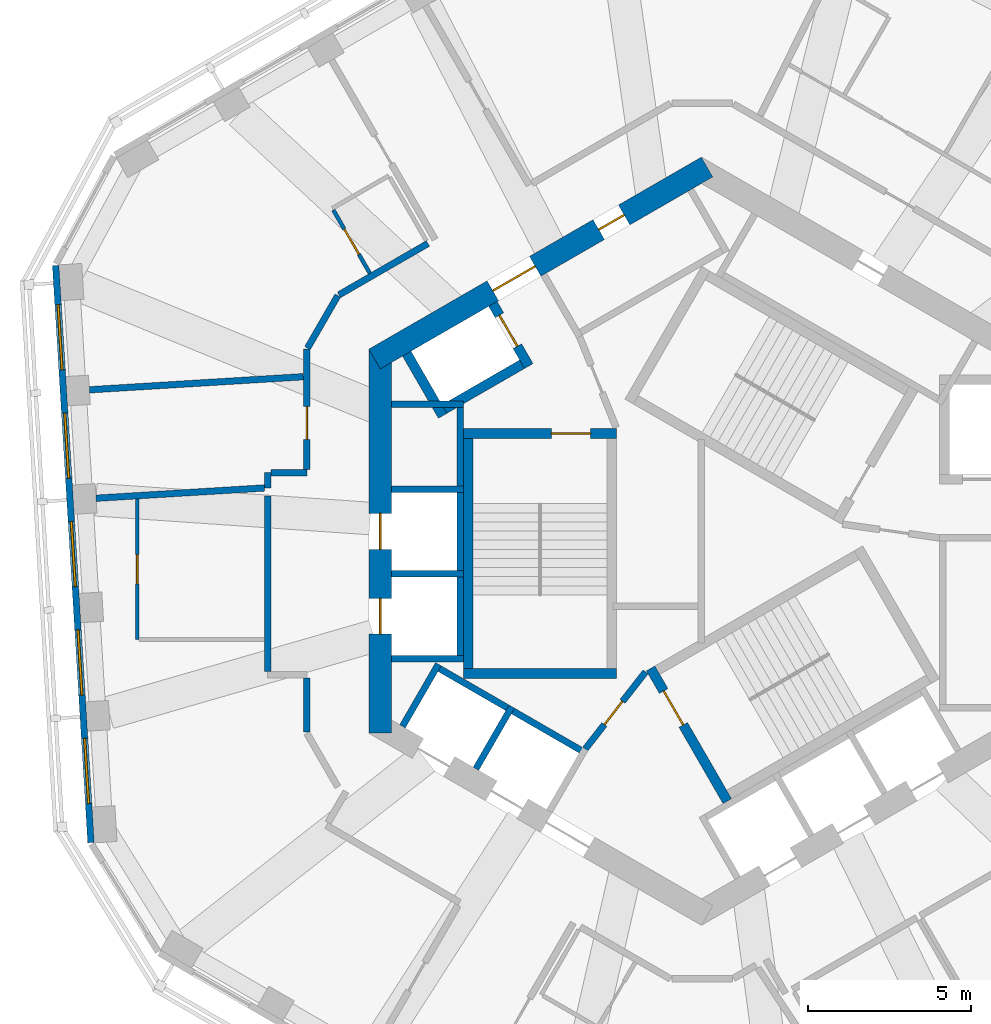
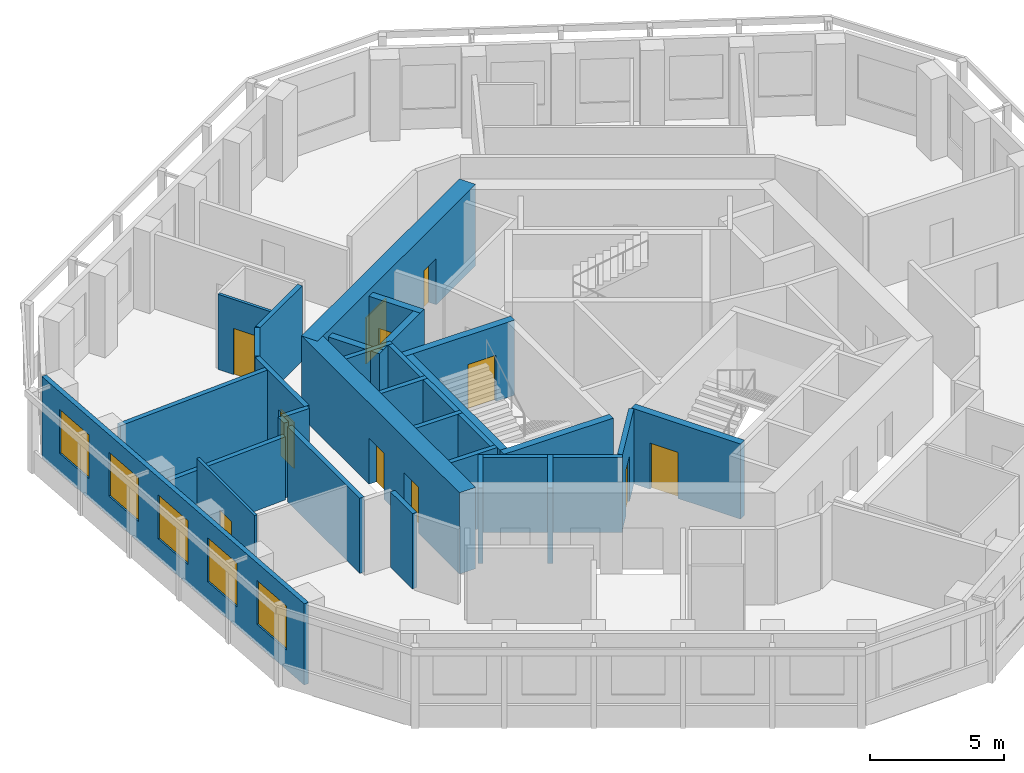
# One storey, part 5 of 10: 30 walls, 11 doors, 5 windows, 16 openings.
"""IFC4 building model written with IfcOpenShell, lengths in metres."""

from ifc_helpers import new_model, si_unit, direction, frame, frame_2d, origin, place, context, subcontext, project, spatial, rectangle, extrude, material, layer, layer_set, type_object, element, fill, save


model = new_model("IFC4")

# Units and contexts
model_context = context("Model", 3, precision=1e-05, world=origin(), true_north=direction((0.0, 1.0)))
body_context = subcontext(model_context, "Body", "Model", "MODEL_VIEW")
ifc_project = project(units=[si_unit("LENGTHUNIT", "METRE"), si_unit("AREAUNIT", "SQUARE_METRE"), si_unit("VOLUMEUNIT", "CUBIC_METRE"), si_unit("PLANEANGLEUNIT", "RADIAN"), si_unit("MASSUNIT", "GRAM", prefix="KILO")], contexts=[model_context])

# Site, building, storey
site_placement = place(None, origin())
site = spatial("IfcSite", under=ifc_project, at=site_placement, CompositionType="ELEMENT")
building_placement = place(site_placement, origin())
building = spatial("IfcBuilding", under=site, at=building_placement, Name="Vanh Sen Convention Tower", CompositionType="ELEMENT")
storey_placement = place(building_placement, frame((0.0, 0.0, 263.5)))
storey = spatial("IfcBuildingStorey", under=building, at=storey_placement, Name="L65", CompositionType="ELEMENT", Elevation=263.5)

# Wall, opening, door
ifc_material_1 = material(Name="Moisture-resistant gypsum board on steel studs", Category="steel")
ifc_layer_1 = layer(ifc_material_1, 0.1201171875)
ifc_layer_set_1 = layer_set([ifc_layer_1], Name="Moisture-resistant gypsum board on steel studs")
wall_type_1 = type_object("IfcWallType", Name="Bathroom partition 120", PredefinedType="PARTITIONING", material=ifc_layer_set_1)
wall_1_placement = place(storey_placement, frame((-17.301025390625, -3.0107421875, 0.0), z_axis=(0.0, 0.0, 1.0), x_axis=(0.0, 1.0, 0.0)))
wall_1 = element("IfcWall", 1, at=wall_1_placement, inside=storey, type_object=wall_type_1, Name="Bathroom partition 120", PredefinedType="PARTITIONING", context=body_context, shape_type="SweptSolid", body=[
    extrude(rectangle(XDim=4.300048828125, YDim=0.1201171875, at=frame_2d((2.14990234375, 0.0))), origin(), (0.0, 0.0, 1.0), 3.419921875),
])
opening_1_placement = place(wall_1_placement, frame((1.699951171875, 0.0, 0.0)))
opening_1 = element("IfcOpeningElement", 2, at=opening_1_placement, cuts=wall_1, Name="Opening D64111", PredefinedType="OPENING", context=body_context, shape_type="SweptSolid", body=[
    extrude(rectangle(XDim=0.89990234375, YDim=2.10009765625, at=frame_2d((0.449951171875, 1.050048828125))), frame((0.0, 0.070068359375, 0.0), z_axis=(0.0, -1.0, 0.0), x_axis=(1.0, 0.0, 0.0)), (0.0, 0.0, 1.0), 0.14013671875),
])
ifc_material_2 = material(Name="Laminate door in steel frame", Category="steel")
door_type_1 = type_object("IfcDoorType", Name="Room internal door 900", OperationType="SINGLE_SWING_LEFT", PredefinedType="DOOR", material=ifc_material_2)
door_1_placement = place(opening_1_placement, origin())
door_1 = element("IfcDoor", 3, at=door_1_placement, inside=storey, type_object=door_type_1, Name="Internal room door D64111", OperationType="SINGLE_SWING_LEFT", OverallHeight=2.10009765625, OverallWidth=0.89990234375, PredefinedType="DOOR", context=body_context, shape_type="SweptSolid", body=[
    extrude(rectangle(XDim=0.89990234375, YDim=2.10009765625, at=frame_2d((0.449951171875, 1.050048828125))), frame((0.0, 0.02490234375, 0.0), z_axis=(0.0, -1.0, 0.0), x_axis=(1.0, 0.0, 0.0)), (0.0, 0.0, 1.0), 0.050048828125),
])
fill(opening_1, door_1)

wall_2_placement = place(storey_placement, frame((-10.168701171875, 8.21630859375, 0.0), z_axis=(0.0, 0.0, 1.0), x_axis=(-0.500030632641, 0.866007717299, 0.0)))
wall_2 = element("IfcWall", 4, at=wall_2_placement, inside=storey, type_object=wall_type_1, Name="Bathroom partition 120", PredefinedType="PARTITIONING", context=body_context, shape_type="SweptSolid", body=[
    extrude(rectangle(XDim=2.239990234375, YDim=0.1201171875, at=frame_2d((1.1201171875, 0.0))), origin(), (0.0, 0.0, 1.0), 3.419921875),
])
opening_2_placement = place(wall_2_placement, frame((0.669921875, 0.0, 0.0)))
opening_2 = element("IfcOpeningElement", 5, at=opening_2_placement, cuts=wall_2, Name="Opening D64108", PredefinedType="OPENING", context=body_context, shape_type="SweptSolid", body=[
    extrude(rectangle(XDim=0.89990234375, YDim=2.10009765625, at=frame_2d((0.449951171875, 1.050048828125))), frame((0.0, 0.070068359375, 0.0), z_axis=(0.0, -1.0, 0.0), x_axis=(1.0, 0.0, 0.0)), (0.0, 0.0, 1.0), 0.14013671875),
])
door_2_placement = place(opening_2_placement, origin())
door_2 = element("IfcDoor", 6, at=door_2_placement, inside=storey, type_object=door_type_1, Name="Internal room door D64108", OperationType="SINGLE_SWING_LEFT", OverallHeight=2.10009765625, OverallWidth=0.89990234375, PredefinedType="DOOR", context=body_context, shape_type="SweptSolid", body=[
    extrude(rectangle(XDim=0.89990234375, YDim=2.10009765625, at=frame_2d((0.449951171875, 1.050048828125))), frame((0.0, 0.02490234375, 0.0), z_axis=(0.0, -1.0, 0.0), x_axis=(1.0, 0.0, 0.0)), (0.0, 0.0, 1.0), 0.050048828125),
])
fill(opening_2, door_2)

# Wall, openings, doors
ifc_material_3 = material(Name="Concrete C60/75", Category="concrete")
ifc_layer_2 = layer(ifc_material_3, 0.699951171875)
ifc_layer_set_2 = layer_set([ifc_layer_2], Name="Concrete C60/75")
wall_type_2 = type_object("IfcWallType", Name="Core outer wall 700 C60/75", PredefinedType="SHEAR", material=ifc_layer_set_2)
wall_3_placement = place(storey_placement, frame((0.175048828125, 11.474853515625, 0.0), z_axis=(0.0, 0.0, 1.0), x_axis=(-0.866026453023, -0.499998182661, 0.0)))
wall_3 = element("IfcWall", 7, at=wall_3_placement, inside=storey, type_object=wall_type_2, Name="Core wall face NW L65", PredefinedType="SHEAR", context=body_context, shape_type="SweptSolid", body=[
    extrude(rectangle(XDim=11.77783203125, YDim=0.699951171875, at=frame_2d((5.888916015625, 0.0))), origin(), (0.0, 0.0, 1.0), 3.699951171875),
])
opening_3_placement = place(wall_3_placement, frame((6.089111328125, 0.0, 0.0)))
opening_3 = element("IfcOpeningElement", 8, at=opening_3_placement, cuts=wall_3, Name="Opening D64002", PredefinedType="OPENING", context=body_context, shape_type="SweptSolid", body=[
    extrude(rectangle(XDim=1.5, YDim=2.10009765625, at=frame_2d((0.75, 1.050048828125))), frame((0.0, 0.35986328125, 0.0), z_axis=(0.0, -1.0, 0.0), x_axis=(1.0, 0.0, 0.0)), (0.0, 0.0, 1.0), 0.719970703125),
])
opening_4_placement = place(wall_3_placement, frame((2.93896484375, 0.0, 0.0)))
opening_4 = element("IfcOpeningElement", 9, at=opening_4_placement, cuts=wall_3, Name="Opening D64012", PredefinedType="OPENING", context=body_context, shape_type="SweptSolid", body=[
    extrude(rectangle(XDim=0.89990234375, YDim=2.10009765625, at=frame_2d((0.449951171875, 1.050048828125))), frame((0.0, 0.35986328125, 0.0), z_axis=(0.0, -1.0, 0.0), x_axis=(1.0, 0.0, 0.0)), (0.0, 0.0, 1.0), 0.719970703125),
])
ifc_material_4 = material(Name="Steel S355", Category="steel")
door_type_2 = type_object("IfcDoorType", Name="Plant door 900", OperationType="SINGLE_SWING_LEFT", PredefinedType="DOOR", material=ifc_material_4)
door_3_placement = place(opening_4_placement, origin())
door_3 = element("IfcDoor", 10, at=door_3_placement, inside=storey, type_object=door_type_2, Name="Plant door D64012", OperationType="SINGLE_SWING_LEFT", OverallHeight=2.10009765625, OverallWidth=0.89990234375, PredefinedType="DOOR", context=body_context, shape_type="SweptSolid", body=[
    extrude(rectangle(XDim=0.89990234375, YDim=2.10009765625, at=frame_2d((0.449951171875, 1.050048828125))), frame((0.0, 0.02490234375, 0.0), z_axis=(0.0, -1.0, 0.0), x_axis=(1.0, 0.0, 0.0)), (0.0, 0.0, 1.0), 0.050048828125),
])
fill(opening_4, door_3)
door_type_3 = type_object("IfcDoorType", Name="Stair lobby door 1500", OperationType="DOUBLE_DOOR_SINGLE_SWING", PredefinedType="DOOR", material=ifc_material_4)
door_4_placement = place(opening_3_placement, origin())
door_4 = element("IfcDoor", 11, at=door_4_placement, inside=storey, type_object=door_type_3, Name="Stair lobby door D64002", OperationType="DOUBLE_DOOR_SINGLE_SWING", OverallHeight=2.10009765625, OverallWidth=1.5, PredefinedType="DOOR", context=body_context, shape_type="SweptSolid", body=[
    extrude(rectangle(XDim=1.5, YDim=2.10009765625, at=frame_2d((0.75, 1.050048828125))), frame((0.0, 0.02490234375, 0.0), z_axis=(0.0, -1.0, 0.0), x_axis=(1.0, 0.0, 0.0)), (0.0, 0.0, 1.0), 0.050048828125),
])
fill(opening_3, door_4)

wall_4_placement = place(storey_placement, frame((-9.85009765625, 5.888916015625, 0.0), z_axis=(0.0, 0.0, 1.0), x_axis=(0.0, -1.0, 0.0)))
wall_4 = element("IfcWall", 12, at=wall_4_placement, inside=storey, type_object=wall_type_2, Name="Core wall face W L65", PredefinedType="SHEAR", context=body_context, shape_type="SweptSolid", body=[
    extrude(rectangle(XDim=11.77783203125, YDim=0.699951171875, at=frame_2d((5.888916015625, 0.0))), origin(), (0.0, 0.0, 1.0), 3.699951171875),
])
opening_5_placement = place(wall_4_placement, frame((5.0390625, 0.0, 0.0)))
opening_5 = element("IfcOpeningElement", 13, at=opening_5_placement, cuts=wall_4, Name="Opening LD-HR1", PredefinedType="OPENING", context=body_context, shape_type="SweptSolid", body=[
    extrude(rectangle(XDim=1.10009765625, YDim=2.10009765625, at=frame_2d((0.550048828125, 1.050048828125))), frame((0.0, 0.35986328125, 0.0), z_axis=(0.0, -1.0, 0.0), x_axis=(1.0, 0.0, 0.0)), (0.0, 0.0, 1.0), 0.719970703125),
])
opening_6_placement = place(wall_4_placement, frame((7.638916015625, 0.0, 0.0)))
opening_6 = element("IfcOpeningElement", 14, at=opening_6_placement, cuts=wall_4, Name="Opening LD-HR2", PredefinedType="OPENING", context=body_context, shape_type="SweptSolid", body=[
    extrude(rectangle(XDim=1.10009765625, YDim=2.10009765625, at=frame_2d((0.550048828125, 1.050048828125))), frame((0.0, 0.35986328125, 0.0), z_axis=(0.0, -1.0, 0.0), x_axis=(1.0, 0.0, 0.0)), (0.0, 0.0, 1.0), 0.719970703125),
])
ifc_material_5 = material(Name="Stainless steel", Category="steel")
door_type_4 = type_object("IfcDoorType", Name="Lift landing door 1100", OperationType="DOUBLE_DOOR_SLIDING", PredefinedType="DOOR", material=ifc_material_5)
door_5_placement = place(opening_5_placement, origin())
door_5 = element("IfcDoor", 15, at=door_5_placement, inside=storey, type_object=door_type_4, Name="Lift HR1 landing door LD-HR1", OperationType="DOUBLE_DOOR_SLIDING", OverallHeight=2.10009765625, OverallWidth=1.10009765625, PredefinedType="DOOR", context=body_context, shape_type="SweptSolid", body=[
    extrude(rectangle(XDim=1.10009765625, YDim=2.10009765625, at=frame_2d((0.550048828125, 1.050048828125))), frame((0.0, 0.02490234375, 0.0), z_axis=(0.0, -1.0, 0.0), x_axis=(1.0, 0.0, 0.0)), (0.0, 0.0, 1.0), 0.050048828125),
])
fill(opening_5, door_5)
door_6_placement = place(opening_6_placement, origin())
door_6 = element("IfcDoor", 16, at=door_6_placement, inside=storey, type_object=door_type_4, Name="Lift HR2 landing door LD-HR2", OperationType="DOUBLE_DOOR_SLIDING", OverallHeight=2.10009765625, OverallWidth=1.10009765625, PredefinedType="DOOR", context=body_context, shape_type="SweptSolid", body=[
    extrude(rectangle(XDim=1.10009765625, YDim=2.10009765625, at=frame_2d((0.550048828125, 1.050048828125))), frame((0.0, 0.02490234375, 0.0), z_axis=(0.0, -1.0, 0.0), x_axis=(1.0, 0.0, 0.0)), (0.0, 0.0, 1.0), 0.050048828125),
])
fill(opening_6, door_6)

# Walls
ifc_material_6 = material(Name="Gypsum board on steel studs with mineral wool", Category="steel")
ifc_layer_3 = layer(ifc_material_6, 0.199951171875)
ifc_layer_set_3 = layer_set([ifc_layer_3], Name="Gypsum board on steel studs with mineral wool")
wall_type_3 = type_object("IfcWallType", Name="Corridor partition wall 200", PredefinedType="PARTITIONING", material=ifc_layer_set_3)
wall_5_placement = place(storey_placement, frame((-13.301025390625, 1.38916015625, 0.0), z_axis=(0.0, 0.0, 1.0), x_axis=(0.0, -1.0, 0.0)))
element("IfcWall", 17, at=wall_5_placement, inside=storey, type_object=wall_type_3, Name="Corridor partition wall 200", PredefinedType="PARTITIONING", context=body_context, shape_type="SweptSolid", body=[
    extrude(rectangle(XDim=5.39013671875, YDim=0.199951171875, at=frame_2d((2.695068359375, 0.0))), origin(), (0.0, 0.0, 1.0), 3.419921875),
])
wall_6_placement = place(storey_placement, frame((-13.301025390625, 2.10107421875, 0.0), z_axis=(0.0, 0.0, 1.0), x_axis=(0.0, -1.0, 0.0)))
element("IfcWall", 18, at=wall_6_placement, inside=storey, type_object=wall_type_3, Name="Corridor partition wall 200", PredefinedType="PARTITIONING", context=body_context, shape_type="SweptSolid", body=[
    extrude(rectangle(XDim=0.4619140625, YDim=0.199951171875, at=frame_2d((0.23095703125, 0.0))), origin(), (0.0, 0.0, 1.0), 3.419921875),
])
wall_7_placement = place(storey_placement, frame((-12.10009765625, -4.200927734375, 0.0), z_axis=(0.0, 0.0, 1.0), x_axis=(0.0, -1.0, 0.0)))
element("IfcWall", 19, at=wall_7_placement, inside=storey, type_object=wall_type_3, Name="Corridor partition wall 200", PredefinedType="PARTITIONING", context=body_context, shape_type="SweptSolid", body=[
    extrude(rectangle(XDim=1.648193359375, YDim=0.199951171875, at=frame_2d((0.82421875, 0.0))), origin(), (0.0, 0.0, 1.0), 3.419921875),
])
wall_8_placement = place(storey_placement, frame((-12.10009765625, 2.10107421875, 0.0), z_axis=(0.0, 0.0, 1.0), x_axis=(-1.0, 0.0, 0.0)))
element("IfcWall", 20, at=wall_8_placement, inside=storey, type_object=wall_type_3, Name="Corridor partition wall 200", PredefinedType="PARTITIONING", context=body_context, shape_type="SweptSolid", body=[
    extrude(rectangle(XDim=1.100830078125, YDim=0.199951171875, at=frame_2d((0.55029296875, 0.0))), origin(), (0.0, 0.0, 1.0), 3.419921875),
])

# Wall, opening, door
wall_9_placement = place(storey_placement, frame((-12.10009765625, 5.888916015625, 0.0), z_axis=(0.0, 0.0, 1.0), x_axis=(0.0, -1.0, 0.0)))
wall_9 = element("IfcWall", 21, at=wall_9_placement, inside=storey, type_object=wall_type_3, Name="Corridor partition wall 200", PredefinedType="PARTITIONING", context=body_context, shape_type="SweptSolid", body=[
    extrude(rectangle(XDim=3.68798828125, YDim=0.199951171875, at=frame_2d((1.843994140625, 0.0))), origin(), (0.0, 0.0, 1.0), 3.419921875),
])
opening_7_placement = place(wall_9_placement, frame((1.76318359375, 0.0, 0.0)))
opening_7 = element("IfcOpeningElement", 22, at=opening_7_placement, cuts=wall_9, Name="Opening D64109", PredefinedType="OPENING", context=body_context, shape_type="SweptSolid", body=[
    extrude(rectangle(XDim=1.0, YDim=2.10009765625, at=frame_2d((0.5, 1.050048828125))), frame((0.0, 0.10986328125, 0.0), z_axis=(0.0, -1.0, 0.0), x_axis=(1.0, 0.0, 0.0)), (0.0, 0.0, 1.0), 0.219970703125),
])
ifc_material_7 = material(Name="Glazed fire door in steel frame", Category="steel")
door_type_5 = type_object("IfcDoorType", Name="Tenant entrance door 1000", OperationType="SINGLE_SWING_LEFT", PredefinedType="DOOR", material=ifc_material_7)
door_7_placement = place(opening_7_placement, origin())
door_7 = element("IfcDoor", 23, at=door_7_placement, inside=storey, type_object=door_type_5, Name="Tenant suite entrance door D64109", OperationType="SINGLE_SWING_LEFT", OverallHeight=2.10009765625, OverallWidth=1.0, PredefinedType="DOOR", context=body_context, shape_type="SweptSolid", body=[
    extrude(rectangle(XDim=1.0, YDim=2.10009765625, at=frame_2d((0.5, 1.050048828125))), frame((0.0, 0.02490234375, 0.0), z_axis=(0.0, -1.0, 0.0), x_axis=(1.0, 0.0, 0.0)), (0.0, 0.0, 1.0), 0.050048828125),
])
fill(opening_7, door_7)

# Walls
wall_10_placement = place(storey_placement, frame((-11.14990234375, 7.534423828125, 0.0), z_axis=(0.0, 0.0, 1.0), x_axis=(-0.500063286585, -0.865988862174, 0.0)))
element("IfcWall", 24, at=wall_10_placement, inside=storey, type_object=wall_type_3, Name="Corridor partition wall 200", PredefinedType="PARTITIONING", context=body_context, shape_type="SweptSolid", body=[
    extrude(rectangle(XDim=1.860107421875, YDim=0.199951171875, at=frame_2d((0.93017578125, 0.0))), origin(), (0.0, 0.0, 1.0), 3.419921875),
])
wall_11_placement = place(storey_placement, frame((-8.38671875, 9.1298828125, 0.0), z_axis=(0.0, 0.0, 1.0), x_axis=(-0.866026878644, -0.499997445459, 0.0)))
element("IfcWall", 25, at=wall_11_placement, inside=storey, type_object=wall_type_3, Name="Corridor partition wall 200", PredefinedType="PARTITIONING", context=body_context, shape_type="SweptSolid", body=[
    extrude(rectangle(XDim=3.15087890625, YDim=0.199951171875, at=frame_2d((1.575439453125, 0.0))), origin(), (0.0, 0.0, 1.0), 3.419921875),
])

# Wall, openings, windows
ifc_material_8 = material(Name="Insulated lightweight infill wall")
ifc_layer_4 = layer(ifc_material_8, 0.199951171875)
ifc_layer_set_4 = layer_set([ifc_layer_4], Name="Insulated lightweight infill wall")
wall_type_4 = type_object("IfcWallType", Name="External wall 200", PredefinedType="STANDARD", material=ifc_layer_set_4)
wall_12_placement = place(storey_placement, frame((-19.802978515625, 8.4541015625, 0.0), z_axis=(0.0, 0.0, 1.0), x_axis=(0.061036717565, -0.998135521414, 0.0)))
wall_12 = element("IfcWall", 26, at=wall_12_placement, inside=storey, type_object=wall_type_4, Name="External wall W L65", PredefinedType="STANDARD", context=body_context, shape_type="SweptSolid", body=[
    extrude(rectangle(XDim=17.7314453125, YDim=0.199951171875, at=frame_2d((8.86572265625, 0.0))), origin(), (0.0, 0.0, 1.0), 3.699951171875),
])
opening_8_placement = place(wall_12_placement, frame((1.20166015625, 0.0, 0.89990234375)))
opening_8 = element("IfcOpeningElement", 27, at=opening_8_placement, cuts=wall_12, Name="Opening WO5-W1", PredefinedType="OPENING", context=body_context, shape_type="SweptSolid", body=[
    extrude(rectangle(XDim=2.0, YDim=2.0, at=frame_2d((1.0, 1.0))), frame((0.0, 0.10986328125, 0.0), z_axis=(0.0, -1.0, 0.0), x_axis=(1.0, 0.0, 0.0)), (0.0, 0.0, 1.0), 0.219970703125),
])
opening_9_placement = place(wall_12_placement, frame((4.533203125, 0.0, 0.89990234375)))
opening_9 = element("IfcOpeningElement", 28, at=opening_9_placement, cuts=wall_12, Name="Opening WO5-W2", PredefinedType="OPENING", context=body_context, shape_type="SweptSolid", body=[
    extrude(rectangle(XDim=2.0, YDim=2.0, at=frame_2d((1.0, 1.0))), frame((0.0, 0.10986328125, 0.0), z_axis=(0.0, -1.0, 0.0), x_axis=(1.0, 0.0, 0.0)), (0.0, 0.0, 1.0), 0.219970703125),
])
opening_10_placement = place(wall_12_placement, frame((7.864990234375, 0.0, 0.89990234375)))
opening_10 = element("IfcOpeningElement", 29, at=opening_10_placement, cuts=wall_12, Name="Opening WO5-W3", PredefinedType="OPENING", context=body_context, shape_type="SweptSolid", body=[
    extrude(rectangle(XDim=2.0, YDim=2.0, at=frame_2d((1.0, 1.0))), frame((0.0, 0.10986328125, 0.0), z_axis=(0.0, -1.0, 0.0), x_axis=(1.0, 0.0, 0.0)), (0.0, 0.0, 1.0), 0.219970703125),
])
opening_11_placement = place(wall_12_placement, frame((11.196533203125, 0.0, 0.89990234375)))
opening_11 = element("IfcOpeningElement", 30, at=opening_11_placement, cuts=wall_12, Name="Opening WO5-W4", PredefinedType="OPENING", context=body_context, shape_type="SweptSolid", body=[
    extrude(rectangle(XDim=2.0, YDim=2.0, at=frame_2d((1.0, 1.0))), frame((0.0, 0.10986328125, 0.0), z_axis=(0.0, -1.0, 0.0), x_axis=(1.0, 0.0, 0.0)), (0.0, 0.0, 1.0), 0.219970703125),
])
opening_12_placement = place(wall_12_placement, frame((14.5283203125, 0.0, 0.89990234375)))
opening_12 = element("IfcOpeningElement", 31, at=opening_12_placement, cuts=wall_12, Name="Opening WO5-W5", PredefinedType="OPENING", context=body_context, shape_type="SweptSolid", body=[
    extrude(rectangle(XDim=2.0, YDim=2.0, at=frame_2d((1.0, 1.0))), frame((0.0, 0.10986328125, 0.0), z_axis=(0.0, -1.0, 0.0), x_axis=(1.0, 0.0, 0.0)), (0.0, 0.0, 1.0), 0.219970703125),
])
ifc_material_9 = material(Name="Aluminium frame with clear low-emissivity glass", Category="aluminium")
window_type = type_object("IfcWindowType", Name="Office window 2000 x 2000", PartitioningType="SINGLE_PANEL", PredefinedType="WINDOW", material=ifc_material_9)
window_1_placement = place(opening_8_placement, origin())
window_1 = element("IfcWindow", 32, at=window_1_placement, inside=storey, type_object=window_type, Name="Window WO5-W1", OverallHeight=2.0, OverallWidth=2.0, PartitioningType="SINGLE_PANEL", PredefinedType="WINDOW", context=body_context, shape_type="SweptSolid", body=[
    extrude(rectangle(XDim=2.0, YDim=2.0, at=frame_2d((1.0, 1.0))), frame((0.0, 0.030029296875, 0.0), z_axis=(0.0, -1.0, 0.0), x_axis=(1.0, 0.0, 0.0)), (0.0, 0.0, 1.0), 0.06005859375),
])
fill(opening_8, window_1)
window_2_placement = place(opening_9_placement, origin())
window_2 = element("IfcWindow", 33, at=window_2_placement, inside=storey, type_object=window_type, Name="Window WO5-W2", OverallHeight=2.0, OverallWidth=2.0, PartitioningType="SINGLE_PANEL", PredefinedType="WINDOW", context=body_context, shape_type="SweptSolid", body=[
    extrude(rectangle(XDim=2.0, YDim=2.0, at=frame_2d((1.0, 1.0))), frame((0.0, 0.030029296875, 0.0), z_axis=(0.0, -1.0, 0.0), x_axis=(1.0, 0.0, 0.0)), (0.0, 0.0, 1.0), 0.06005859375),
])
fill(opening_9, window_2)
window_3_placement = place(opening_10_placement, origin())
window_3 = element("IfcWindow", 34, at=window_3_placement, inside=storey, type_object=window_type, Name="Window WO5-W3", OverallHeight=2.0, OverallWidth=2.0, PartitioningType="SINGLE_PANEL", PredefinedType="WINDOW", context=body_context, shape_type="SweptSolid", body=[
    extrude(rectangle(XDim=2.0, YDim=2.0, at=frame_2d((1.0, 1.0))), frame((0.0, 0.030029296875, 0.0), z_axis=(0.0, -1.0, 0.0), x_axis=(1.0, 0.0, 0.0)), (0.0, 0.0, 1.0), 0.06005859375),
])
fill(opening_10, window_3)
window_4_placement = place(opening_11_placement, origin())
window_4 = element("IfcWindow", 35, at=window_4_placement, inside=storey, type_object=window_type, Name="Window WO5-W4", OverallHeight=2.0, OverallWidth=2.0, PartitioningType="SINGLE_PANEL", PredefinedType="WINDOW", context=body_context, shape_type="SweptSolid", body=[
    extrude(rectangle(XDim=2.0, YDim=2.0, at=frame_2d((1.0, 1.0))), frame((0.0, 0.030029296875, 0.0), z_axis=(0.0, -1.0, 0.0), x_axis=(1.0, 0.0, 0.0)), (0.0, 0.0, 1.0), 0.06005859375),
])
fill(opening_11, window_4)
window_5_placement = place(opening_12_placement, origin())
window_5 = element("IfcWindow", 36, at=window_5_placement, inside=storey, type_object=window_type, Name="Window WO5-W5", OverallHeight=2.0, OverallWidth=2.0, PartitioningType="SINGLE_PANEL", PredefinedType="WINDOW", context=body_context, shape_type="SweptSolid", body=[
    extrude(rectangle(XDim=2.0, YDim=2.0, at=frame_2d((1.0, 1.0))), frame((0.0, 0.030029296875, 0.0), z_axis=(0.0, -1.0, 0.0), x_axis=(1.0, 0.0, 0.0)), (0.0, 0.0, 1.0), 0.06005859375),
])
fill(opening_12, window_5)

# Wall, opening, door
ifc_layer_5 = layer(ifc_material_3, 0.300048828125)
ifc_layer_set_5 = layer_set([ifc_layer_5], Name="Concrete C60/75")
wall_type_5 = type_object("IfcWallType", Name="Fire-fighting lift shaft wall 300", PredefinedType="SHEAR", material=ifc_layer_set_5)
wall_13_placement = place(storey_placement, frame((-5.29541015625, 5.3720703125, 0.0), z_axis=(0.0, 0.0, 1.0), x_axis=(-0.500077893725, 0.86598042715, 0.0)))
wall_13 = element("IfcWall", 37, at=wall_13_placement, inside=storey, type_object=wall_type_5, Name="Fire-fighting lift shaft wall L65", PredefinedType="SHEAR", context=body_context, shape_type="SweptSolid", body=[
    extrude(rectangle(XDim=2.199951171875, YDim=0.300048828125, at=frame_2d((1.10009765625, 0.0))), origin(), (0.0, 0.0, 1.0), 3.419921875),
])
opening_13_placement = place(wall_13_placement, frame((0.699951171875, 0.0, 0.0)))
opening_13 = element("IfcOpeningElement", 38, at=opening_13_placement, cuts=wall_13, Name="Opening LD-FF2", PredefinedType="OPENING", context=body_context, shape_type="SweptSolid", body=[
    extrude(rectangle(XDim=1.10009765625, YDim=2.10009765625, at=frame_2d((0.550048828125, 1.050048828125))), frame((0.0, 0.159912109375, 0.0), z_axis=(0.0, -1.0, 0.0), x_axis=(1.0, 0.0, 0.0)), (0.0, 0.0, 1.0), 0.320068359375),
])
door_type_6 = type_object("IfcDoorType", Name="Fire-fighting lift landing door 1100", OperationType="DOUBLE_DOOR_SLIDING", PredefinedType="DOOR", material=ifc_material_5)
door_8_placement = place(opening_13_placement, origin())
door_8 = element("IfcDoor", 39, at=door_8_placement, inside=storey, type_object=door_type_6, Name="Lift FF2 landing door LD-FF2", OperationType="DOUBLE_DOOR_SLIDING", OverallHeight=2.10009765625, OverallWidth=1.10009765625, PredefinedType="DOOR", context=body_context, shape_type="SweptSolid", body=[
    extrude(rectangle(XDim=1.10009765625, YDim=2.10009765625, at=frame_2d((0.550048828125, 1.050048828125))), frame((0.0, 0.02490234375, 0.0), z_axis=(0.0, -1.0, 0.0), x_axis=(1.0, 0.0, 0.0)), (0.0, 0.0, 1.0), 0.050048828125),
])
fill(opening_13, door_8)

# Walls
wall_14_placement = place(storey_placement, frame((-5.240478515625, 5.576904296875, 0.0), z_axis=(0.0, 0.0, 1.0), x_axis=(-0.866014461049, -0.500018952895, 0.0)))
element("IfcWall", 40, at=wall_14_placement, inside=storey, type_object=wall_type_5, Name="Fire-fighting lift shaft wall L65", PredefinedType="SHEAR", context=body_context, shape_type="SweptSolid", body=[
    extrude(rectangle(XDim=3.349853515625, YDim=0.300048828125, at=frame_2d((1.6748046875, 0.0))), origin(), (0.0, 0.0, 1.0), 3.419921875),
])
wall_15_placement = place(storey_placement, frame((-7.936767578125, 3.846923828125, 0.0), z_axis=(0.0, 0.0, 1.0), x_axis=(-0.50002983664, 0.866008176907, 0.0)))
element("IfcWall", 41, at=wall_15_placement, inside=storey, type_object=wall_type_5, Name="Fire-fighting lift shaft wall L65", PredefinedType="SHEAR", context=body_context, shape_type="SweptSolid", body=[
    extrude(rectangle(XDim=2.199951171875, YDim=0.300048828125, at=frame_2d((1.10009765625, 0.0))), origin(), (0.0, 0.0, 1.0), 3.419921875),
])
ifc_material_10 = material(Name="Concrete C40/50", Category="concrete")
ifc_layer_6 = layer(ifc_material_10, 0.199951171875)
ifc_layer_set_6 = layer_set([ifc_layer_6], Name="Concrete C40/50")
wall_type_6 = type_object("IfcWallType", Name="Lift shaft wall 200", PredefinedType="PARTITIONING", material=ifc_layer_set_6)
wall_16_placement = place(storey_placement, frame((-7.39990234375, 4.300048828125, 0.0), z_axis=(0.0, 0.0, 1.0), x_axis=(0.0, -1.0, 0.0)))
element("IfcWall", 42, at=wall_16_placement, inside=storey, type_object=wall_type_6, Name="Lift shaft wall L65", PredefinedType="PARTITIONING", context=body_context, shape_type="SweptSolid", body=[
    extrude(rectangle(XDim=8.0, YDim=0.199951171875, at=frame_2d((4.0, 0.0))), origin(), (0.0, 0.0, 1.0), 3.419921875),
])
for number, where, z_axis, x_axis, name in (
    (43, (-7.300048828125, 4.199951171875, 0.0), (0.0, 0.0, 1.0), (-1.0, 0.0, 0.0), "Lift shaft wall L65"),
    (44, (-7.300048828125, 1.60009765625, 0.0), (0.0, 0.0, 1.0), (-1.0, 0.0, 0.0), "Lift shaft wall L65"),
    (45, (-7.300048828125, -1.0, 0.0), (0.0, 0.0, 1.0), (-1.0, 0.0, 0.0), "Lift shaft wall L65"),
    (46, (-7.300048828125, -3.60009765625, 0.0), (0.0, 0.0, 1.0), (-1.0, 0.0, 0.0), "Lift shaft wall L65"),
):
    element("IfcWall", number, at=place(storey_placement, frame(where, z_axis=z_axis, x_axis=x_axis)), inside=storey, type_object=wall_type_6, Name=name, PredefinedType="PARTITIONING", context=body_context, shape_type="SweptSolid", body=[
        extrude(rectangle(XDim=2.199951171875, YDim=0.199951171875, at=frame_2d((1.10009765625, 0.0))), origin(), (0.0, 0.0, 1.0), 3.419921875),
    ])
wall_17_placement = place(storey_placement, frame((-8.203369140625, -3.80859375, 0.0), z_axis=(0.0, 0.0, 1.0), x_axis=(0.866028230842, -0.499995103361, 0.0)))
element("IfcWall", 47, at=wall_17_placement, inside=storey, type_object=wall_type_6, Name="Lift shaft wall L65", PredefinedType="PARTITIONING", context=body_context, shape_type="SweptSolid", body=[
    extrude(rectangle(XDim=5.39990234375, YDim=0.199951171875, at=frame_2d((2.699951171875, 0.0))), origin(), (0.0, 0.0, 1.0), 3.419921875),
])
for number, where, z_axis, x_axis, name in (
    (48, (-8.066650390625, -3.77197265625, 0.0), (0.0, 0.0, 1.0), (-0.50002983664, -0.866008176907, 0.0), "Lift shaft wall L65"),
    (49, (-5.815185546875, -5.072021484375, 0.0), (0.0, 0.0, 1.0), (-0.499946605688, -0.86605622881, 0.0), "Lift shaft wall L65"),
):
    element("IfcWall", number, at=place(storey_placement, frame(where, z_axis=z_axis, x_axis=x_axis)), inside=storey, type_object=wall_type_6, Name=name, PredefinedType="PARTITIONING", context=body_context, shape_type="SweptSolid", body=[
        extrude(rectangle(XDim=2.199951171875, YDim=0.199951171875, at=frame_2d((1.10009765625, 0.0))), origin(), (0.0, 0.0, 1.0), 3.419921875),
    ])

# Wall, opening, door
ifc_layer_7 = layer(ifc_material_10, 0.199951171875)
ifc_layer_set_7 = layer_set([ifc_layer_7], Name="Concrete C40/50")
wall_type_7 = type_object("IfcWallType", Name="Stair lobby wall 200", PredefinedType="PARTITIONING", material=ifc_layer_set_7)
wall_18_placement = place(storey_placement, frame((-1.71240234375, -4.00830078125, 0.0), z_axis=(0.0, 0.0, 1.0), x_axis=(-0.616549420702, -0.787316208287, 0.0)))
wall_18 = element("IfcWall", 50, at=wall_18_placement, inside=storey, type_object=wall_type_7, Name="Stair lobby wall L65", PredefinedType="PARTITIONING", context=body_context, shape_type="SweptSolid", body=[
    extrude(rectangle(XDim=3.002197265625, YDim=0.199951171875, at=frame_2d((1.5009765625, 0.0))), origin(), (0.0, 0.0, 1.0), 3.419921875),
])
opening_14_placement = place(wall_18_placement, frame((1.14990234375, 0.0, 0.0)))
opening_14 = element("IfcOpeningElement", 51, at=opening_14_placement, cuts=wall_18, Name="Opening D64009", PredefinedType="OPENING", context=body_context, shape_type="SweptSolid", body=[
    extrude(rectangle(XDim=0.89990234375, YDim=2.10009765625, at=frame_2d((0.449951171875, 1.050048828125))), frame((0.0, 0.10986328125, 0.0), z_axis=(0.0, -1.0, 0.0), x_axis=(1.0, 0.0, 0.0)), (0.0, 0.0, 1.0), 0.219970703125),
])
door_9_placement = place(opening_14_placement, origin())
door_9 = element("IfcDoor", 52, at=door_9_placement, inside=storey, type_object=door_type_2, Name="Plant door D64009", OperationType="SINGLE_SWING_LEFT", OverallHeight=2.10009765625, OverallWidth=0.89990234375, PredefinedType="DOOR", context=body_context, shape_type="SweptSolid", body=[
    extrude(rectangle(XDim=0.89990234375, YDim=2.10009765625, at=frame_2d((0.449951171875, 1.050048828125))), frame((0.0, 0.02490234375, 0.0), z_axis=(0.0, -1.0, 0.0), x_axis=(1.0, 0.0, 0.0)), (0.0, 0.0, 1.0), 0.050048828125),
])
fill(opening_14, door_9)

ifc_layer_8 = layer(ifc_material_3, 0.300048828125)
ifc_layer_set_8 = layer_set([ifc_layer_8], Name="Concrete C60/75")
wall_type_8 = type_object("IfcWallType", Name="Stair wall 300", PredefinedType="SHEAR", material=ifc_layer_set_8)
wall_19_placement = place(storey_placement, frame((-2.60009765625, 3.300048828125, 0.0), z_axis=(0.0, 0.0, 1.0), x_axis=(-1.0, 0.0, 0.0)))
wall_19 = element("IfcWall", 53, at=wall_19_placement, inside=storey, type_object=wall_type_8, Name="Stair wall L65", PredefinedType="SHEAR", context=body_context, shape_type="SweptSolid", body=[
    extrude(rectangle(XDim=4.699951171875, YDim=0.300048828125, at=frame_2d((2.35009765625, 0.0))), origin(), (0.0, 0.0, 1.0), 3.419921875),
])
opening_15_placement = place(wall_19_placement, frame((0.800048828125, 0.0, 0.0)))
opening_15 = element("IfcOpeningElement", 54, at=opening_15_placement, cuts=wall_19, Name="Opening D64005", PredefinedType="OPENING", context=body_context, shape_type="SweptSolid", body=[
    extrude(rectangle(XDim=1.199951171875, YDim=2.10009765625, at=frame_2d((0.60009765625, 1.050048828125))), frame((0.0, 0.159912109375, 0.0), z_axis=(0.0, -1.0, 0.0), x_axis=(1.0, 0.0, 0.0)), (0.0, 0.0, 1.0), 0.320068359375),
])
door_type_7 = type_object("IfcDoorType", Name="Stair door 1200", OperationType="SINGLE_SWING_RIGHT", PredefinedType="DOOR", material=ifc_material_4)
door_10_placement = place(opening_15_placement, origin())
door_10 = element("IfcDoor", 55, at=door_10_placement, inside=storey, type_object=door_type_7, Name="Stair ST2 door D64005", OperationType="SINGLE_SWING_RIGHT", OverallHeight=2.10009765625, OverallWidth=1.199951171875, PredefinedType="DOOR", context=body_context, shape_type="SweptSolid", body=[
    extrude(rectangle(XDim=1.199951171875, YDim=2.10009765625, at=frame_2d((0.60009765625, 1.050048828125))), frame((0.0, 0.02490234375, 0.0), z_axis=(0.0, -1.0, 0.0), x_axis=(1.0, 0.0, 0.0)), (0.0, 0.0, 1.0), 0.050048828125),
])
fill(opening_15, door_10)

# Walls
wall_20_placement = place(storey_placement, frame((-2.60009765625, -4.06005859375, 0.0), z_axis=(0.0, 0.0, 1.0), x_axis=(-1.0, 0.0, 0.0)))
element("IfcWall", 56, at=wall_20_placement, inside=storey, type_object=wall_type_8, Name="Stair wall L65", PredefinedType="SHEAR", context=body_context, shape_type="SweptSolid", body=[
    extrude(rectangle(XDim=4.699951171875, YDim=0.300048828125, at=frame_2d((2.35009765625, 0.0))), origin(), (0.0, 0.0, 1.0), 3.419921875),
])
wall_21_placement = place(storey_placement, frame((-7.14990234375, 3.14990234375, 0.0), z_axis=(0.0, 0.0, 1.0), x_axis=(0.0, -1.0, 0.0)))
element("IfcWall", 57, at=wall_21_placement, inside=storey, type_object=wall_type_8, Name="Stair wall L65", PredefinedType="SHEAR", context=body_context, shape_type="SweptSolid", body=[
    extrude(rectangle(XDim=7.059814453125, YDim=0.300048828125, at=frame_2d((3.52978515625, 0.0))), origin(), (0.0, 0.0, 1.0), 3.419921875),
])

# Wall, opening, door
wall_22_placement = place(storey_placement, frame((-1.557861328125, -3.901611328125, 0.0), z_axis=(0.0, 0.0, 1.0), x_axis=(0.499977259774, -0.866038532462, 0.0)))
wall_22 = element("IfcWall", 58, at=wall_22_placement, inside=storey, type_object=wall_type_8, Name="Stair wall L65", PredefinedType="SHEAR", context=body_context, shape_type="SweptSolid", body=[
    extrude(rectangle(XDim=4.699951171875, YDim=0.300048828125, at=frame_2d((2.35009765625, 0.0))), origin(), (0.0, 0.0, 1.0), 3.419921875),
])
opening_16_placement = place(wall_22_placement, frame((0.800048828125, 0.0, 0.0)))
opening_16 = element("IfcOpeningElement", 59, at=opening_16_placement, cuts=wall_22, Name="Opening D64006", PredefinedType="OPENING", context=body_context, shape_type="SweptSolid", body=[
    extrude(rectangle(XDim=1.199951171875, YDim=2.10009765625, at=frame_2d((0.60009765625, 1.050048828125))), frame((0.0, 0.159912109375, 0.0), z_axis=(0.0, -1.0, 0.0), x_axis=(1.0, 0.0, 0.0)), (0.0, 0.0, 1.0), 0.320068359375),
])
door_11_placement = place(opening_16_placement, origin())
door_11 = element("IfcDoor", 60, at=door_11_placement, inside=storey, type_object=door_type_7, Name="Stair ST3 door D64006", OperationType="SINGLE_SWING_RIGHT", OverallHeight=2.10009765625, OverallWidth=1.199951171875, PredefinedType="DOOR", context=body_context, shape_type="SweptSolid", body=[
    extrude(rectangle(XDim=1.199951171875, YDim=2.10009765625, at=frame_2d((0.60009765625, 1.050048828125))), frame((0.0, 0.02490234375, 0.0), z_axis=(0.0, -1.0, 0.0), x_axis=(1.0, 0.0, 0.0)), (0.0, 0.0, 1.0), 0.050048828125),
])
fill(opening_16, door_11)

# Walls
ifc_layer_9 = layer(ifc_material_6, 0.199951171875)
ifc_layer_set_9 = layer_set([ifc_layer_9], Name="Gypsum board on steel studs with mineral wool")
wall_type_9 = type_object("IfcWallType", Name="Tenant suite wall 200", PredefinedType="PARTITIONING", material=ifc_layer_set_9)
wall_23_placement = place(storey_placement, frame((-18.768310546875, 4.642822265625, 0.0), z_axis=(0.0, 0.0, 1.0), x_axis=(0.99813496285, 0.0610458511, 0.0)))
element("IfcWall", 61, at=wall_23_placement, inside=storey, type_object=wall_type_9, Name="Tenant suite wall 200", PredefinedType="PARTITIONING", context=body_context, shape_type="SweptSolid", body=[
    extrude(rectangle(XDim=6.57080078125, YDim=0.199951171875, at=frame_2d((3.285400390625, 0.0))), origin(), (0.0, 0.0, 1.0), 3.419921875),
])
wall_24_placement = place(storey_placement, frame((-18.56494140625, 1.3173828125, 0.0), z_axis=(0.0, 0.0, 1.0), x_axis=(0.998136844425, 0.061015078472, 0.0)))
element("IfcWall", 62, at=wall_24_placement, inside=storey, type_object=wall_type_9, Name="Tenant suite wall 200", PredefinedType="PARTITIONING", context=body_context, shape_type="SweptSolid", body=[
    extrude(rectangle(XDim=5.173583984375, YDim=0.199951171875, at=frame_2d((2.5869140625, 0.0))), origin(), (0.0, 0.0, 1.0), 2.8701171875),
])

save(model, "model.ifc")
